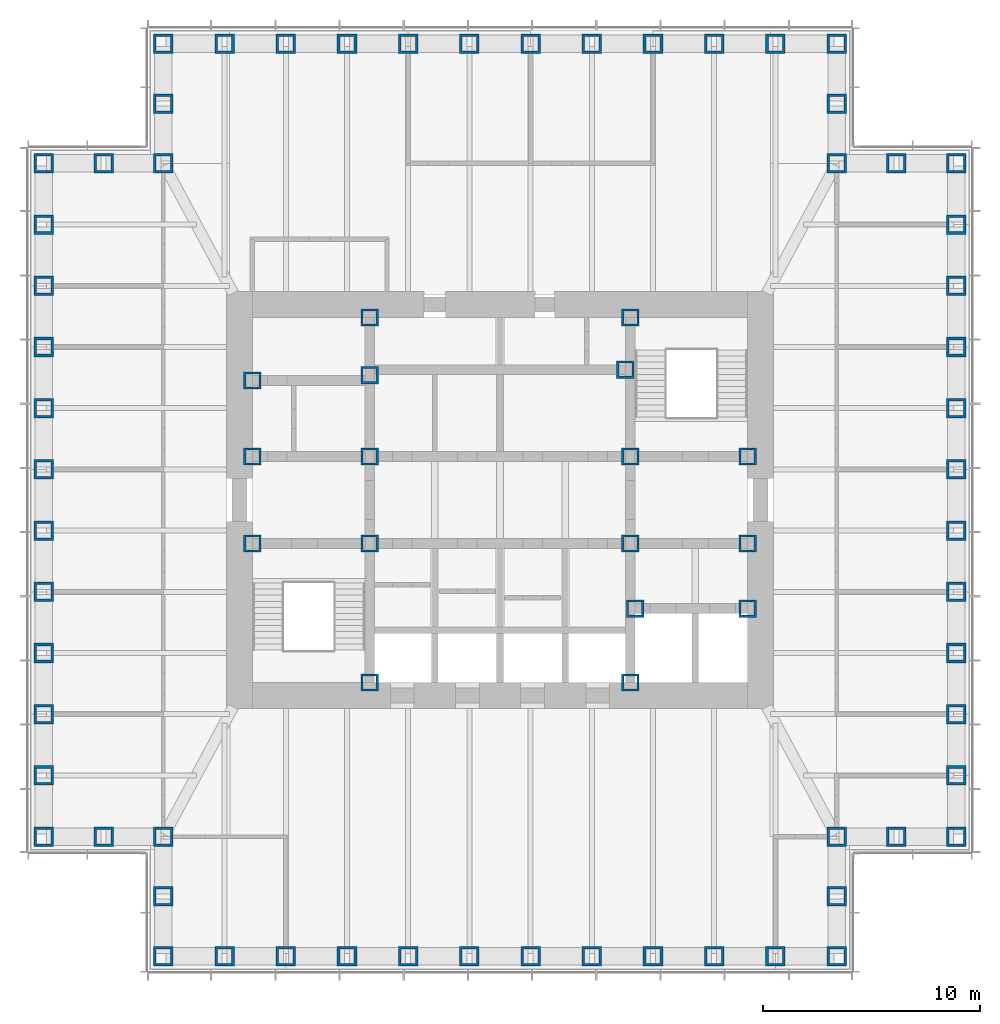
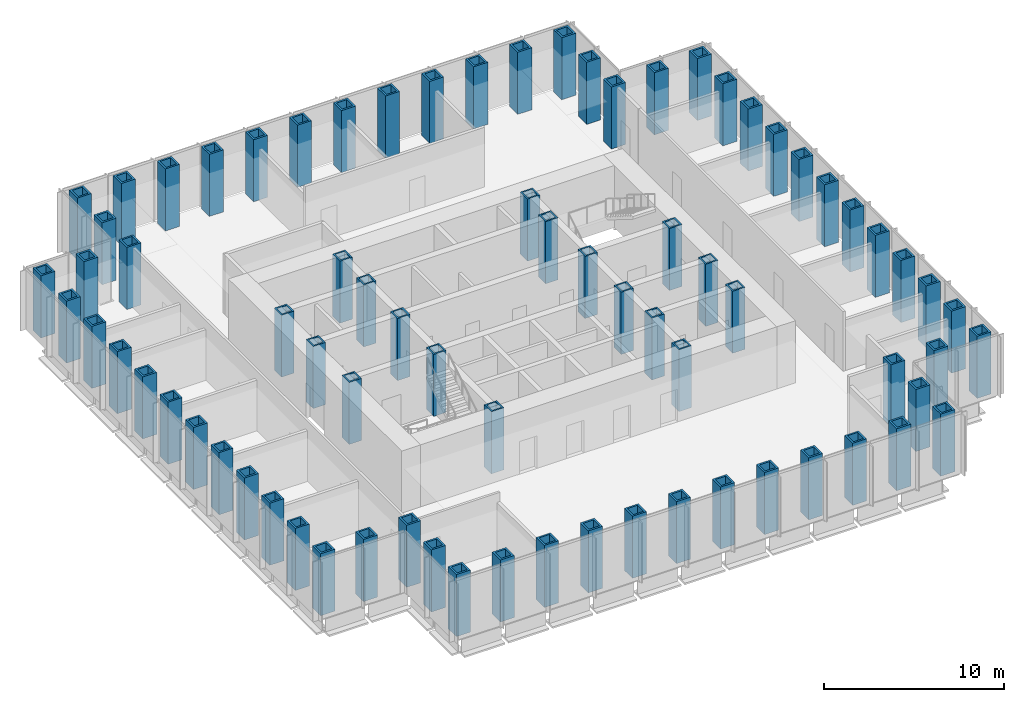
# One storey, part 1 of 16: 77 columns.
"""IFC4 building model written with IfcOpenShell, lengths in metres."""

from ifc_helpers import new_model, si_unit, direction, frame, origin, origin_2d, place, context, subcontext, project, spatial, hollow_rectangle, extrude, material, material_profile, profile_set, type_object, element, save


model = new_model("IFC4")

# Units and contexts
model_context = context("Model", 3, precision=1e-05, world=origin(), true_north=direction((0.0, 1.0)))
body_context = subcontext(model_context, "Body", "Model", "MODEL_VIEW")
ifc_project = project(units=[si_unit("LENGTHUNIT", "METRE"), si_unit("AREAUNIT", "SQUARE_METRE"), si_unit("VOLUMEUNIT", "CUBIC_METRE"), si_unit("PLANEANGLEUNIT", "RADIAN"), si_unit("MASSUNIT", "GRAM", prefix="KILO")], contexts=[model_context])

# Site, building, storey
site_placement = place(None, origin())
site = spatial("IfcSite", under=ifc_project, at=site_placement, CompositionType="ELEMENT")
building_placement = place(site_placement, origin())
building = spatial("IfcBuilding", under=site, at=building_placement, Name="Daluyong Arena Tower", CompositionType="ELEMENT")
storey_placement = place(building_placement, frame((0.0, 0.0, 189.699951171875)))
storey = spatial("IfcBuildingStorey", under=building, at=storey_placement, Name="L42", CompositionType="ELEMENT", Elevation=189.699951171875)

# Columns
ifc_material_1 = material(Name="Steel ASTM A572 Grade 50", Category="steel")
ifc_material_profile_1 = material_profile(ifc_material_1, hollow_rectangle(XDim=0.800048828125, YDim=0.800048828125, WallThickness=0.1, at=origin_2d()))
ifc_profile_set_1 = profile_set([ifc_material_profile_1], Name="Steel ASTM A572 Grade 50")
column_type_1 = type_object("IfcColumnType", Name="Core boundary column BX800X100", PredefinedType="COLUMN", material=ifc_profile_set_1)
for number, where, z_axis, x_axis, name in (
    (1, (44.60009765625, 78.0, 0.0), (0.0, 0.0, 1.0), (1.0, 0.0, 0.0), "core boundary column BC2"),
    (2, (44.60009765625, 82.0, 0.0), (0.0, 0.0, 1.0), (1.0, 0.0, 0.0), "core boundary column BC2"),
    (3, (44.60009765625, 85.5, 0.0), (0.0, 0.0, 1.0), (1.0, 0.0, 0.0), "core boundary column BC2"),
    (4, (50.0, 71.60009765625, 0.0), (0.0, 0.0, 1.0), (1.0, 0.0, 0.0), "core boundary column BC2"),
    (5, (50.0, 78.0, 0.0), (0.0, 0.0, 1.0), (1.0, 0.0, 0.0), "core boundary column BC2"),
    (6, (50.0, 82.0, 0.0), (0.0, 0.0, 1.0), (1.0, 0.0, 0.0), "core boundary column BC2"),
    (7, (50.0, 85.75, 0.0), (0.0, 0.0, 1.0), (1.0, 0.0, 0.0), "core boundary column BC2"),
    (8, (50.0, 88.39990234375, 0.0), (0.0, 0.0, 1.0), (1.0, 0.0, 0.0), "core boundary column BC2"),
    (9, (61.77490234375, 86.0, 0.0), (0.0, 0.0, 1.0), (1.0, 0.0, 0.0), "core boundary column BC2"),
    (10, (62.0, 71.60009765625, 0.0), (0.0, 0.0, 1.0), (1.0, 0.0, 0.0), "core boundary column BC2"),
    (11, (62.0, 78.0, 0.0), (0.0, 0.0, 1.0), (1.0, 0.0, 0.0), "core boundary column BC2"),
    (12, (62.0, 82.0, 0.0), (0.0, 0.0, 1.0), (1.0, 0.0, 0.0), "core boundary column BC2"),
    (13, (62.0, 88.39990234375, 0.0), (0.0, 0.0, 1.0), (1.0, 0.0, 0.0), "core boundary column BC2"),
    (14, (62.22509765625, 75.0, 0.0), (0.0, 0.0, 1.0), (1.0, 0.0, 0.0), "core boundary column BC2"),
    (15, (67.39990234375, 75.0, 0.0), (0.0, 0.0, 1.0), (1.0, 0.0, 0.0), "core boundary column BC2"),
    (16, (67.39990234375, 78.0, 0.0), (0.0, 0.0, 1.0), (1.0, 0.0, 0.0), "core boundary column BC2"),
    (17, (67.39990234375, 82.0, 0.0), (0.0, 0.0, 1.0), (1.0, 0.0, 0.0), "core boundary column BC2"),
):
    element("IfcColumn", number, at=place(storey_placement, frame(where, z_axis=z_axis, x_axis=x_axis)), inside=storey, type_object=column_type_1, Name=name, PredefinedType="COLUMN", context=body_context, shape_type="SweptSolid", body=[
        extrude(hollow_rectangle(XDim=0.800048828125, YDim=0.800048828125, WallThickness=0.1, at=origin_2d()), origin(), (0.0, 0.0, 1.0), 4.199951171875),
    ])
ifc_material_2 = material(Name="Steel ASTM A588 Grade 50", Category="steel")
ifc_material_profile_2 = material_profile(ifc_material_2, hollow_rectangle(XDim=0.89990234375, YDim=0.89990234375, WallThickness=0.12, at=origin_2d()))
ifc_profile_set_2 = profile_set([ifc_material_profile_2], Name="Steel ASTM A588 Grade 50")
column_type_2 = type_object("IfcColumnType", Name="Tube column BX900X120 BX900X120", PredefinedType="COLUMN", material=ifc_profile_set_2)
for number, where, z_axis, x_axis, name in (
    (18, (40.5, 59.0, 0.0), (0.0, 0.0, 1.0), (1.0, 0.0, 0.0), "tube column bx900x120 TC4"),
    (19, (43.318115234375, 59.0, 0.0), (0.0, 0.0, 1.0), (1.0, 0.0, 0.0), "tube column bx900x120 TC4"),
    (20, (46.136474609375, 59.0, 0.0), (0.0, 0.0, 1.0), (1.0, 0.0, 0.0), "tube column bx900x120 TC4"),
    (21, (48.95458984375, 59.0, 0.0), (0.0, 0.0, 1.0), (1.0, 0.0, 0.0), "tube column bx900x120 TC4"),
    (22, (51.772705078125, 59.0, 0.0), (0.0, 0.0, 1.0), (1.0, 0.0, 0.0), "tube column bx900x120 TC4"),
    (23, (54.5908203125, 59.0, 0.0), (0.0, 0.0, 1.0), (1.0, 0.0, 0.0), "tube column bx900x120 TC4"),
    (24, (57.4091796875, 59.0, 0.0), (0.0, 0.0, 1.0), (1.0, 0.0, 0.0), "tube column bx900x120 TC4"),
    (25, (60.227294921875, 59.0, 0.0), (0.0, 0.0, 1.0), (1.0, 0.0, 0.0), "tube column bx900x120 TC4"),
    (26, (63.04541015625, 59.0, 0.0), (0.0, 0.0, 1.0), (1.0, 0.0, 0.0), "tube column bx900x120 TC4"),
    (27, (65.863525390625, 59.0, 0.0), (0.0, 0.0, 1.0), (1.0, 0.0, 0.0), "tube column bx900x120 TC4"),
    (28, (68.681884765625, 59.0, 0.0), (0.0, 0.0, 1.0), (1.0, 0.0, 0.0), "tube column bx900x120 TC4"),
    (29, (71.5, 59.0, 0.0), (0.0, 0.0, 1.0), (0.0, 1.0, 0.0), "tube column bx900x120 TC4"),
    (30, (71.5, 61.75, 0.0), (0.0, 0.0, 1.0), (0.0, 1.0, 0.0), "tube column bx900x120 TC4"),
    (31, (71.5, 64.5, 0.0), (0.0, 0.0, 1.0), (1.0, 0.0, 0.0), "tube column bx900x120 TC4"),
    (32, (74.25, 64.5, 0.0), (0.0, 0.0, 1.0), (1.0, 0.0, 0.0), "tube column bx900x120 TC4"),
    (33, (77.0, 64.5, 0.0), (0.0, 0.0, 1.0), (0.0, 1.0, 0.0), "tube column bx900x120 TC4"),
    (34, (77.0, 67.318115234375, 0.0), (0.0, 0.0, 1.0), (0.0, 1.0, 0.0), "tube column bx900x120 TC4"),
    (35, (77.0, 70.136474609375, 0.0), (0.0, 0.0, 1.0), (0.0, 1.0, 0.0), "tube column bx900x120 TC4"),
    (36, (77.0, 72.95458984375, 0.0), (0.0, 0.0, 1.0), (0.0, 1.0, 0.0), "tube column bx900x120 TC4"),
    (37, (77.0, 75.772705078125, 0.0), (0.0, 0.0, 1.0), (0.0, 1.0, 0.0), "tube column bx900x120 TC4"),
    (38, (77.0, 78.5908203125, 0.0), (0.0, 0.0, 1.0), (0.0, 1.0, 0.0), "tube column bx900x120 TC4"),
    (39, (77.0, 81.4091796875, 0.0), (0.0, 0.0, 1.0), (0.0, 1.0, 0.0), "tube column bx900x120 TC4"),
    (40, (77.0, 84.227294921875, 0.0), (0.0, 0.0, 1.0), (0.0, 1.0, 0.0), "tube column bx900x120 TC4"),
    (41, (77.0, 87.04541015625, 0.0), (0.0, 0.0, 1.0), (0.0, 1.0, 0.0), "tube column bx900x120 TC4"),
    (42, (77.0, 89.863525390625, 0.0), (0.0, 0.0, 1.0), (0.0, 1.0, 0.0), "tube column bx900x120 TC4"),
    (43, (77.0, 92.681884765625, 0.0), (0.0, 0.0, 1.0), (0.0, 1.0, 0.0), "tube column bx900x120 TC4"),
    (44, (77.0, 95.5, 0.0), (0.0, 0.0, 1.0), (1.0, 0.0, 0.0), "tube column bx900x120 TC4"),
    (45, (74.25, 95.5, 0.0), (0.0, 0.0, 1.0), (1.0, 0.0, 0.0), "tube column bx900x120 TC4"),
    (46, (71.5, 95.5, 0.0), (0.0, 0.0, 1.0), (0.0, 1.0, 0.0), "tube column bx900x120 TC4"),
    (47, (71.5, 98.25, 0.0), (0.0, 0.0, 1.0), (0.0, 1.0, 0.0), "tube column bx900x120 TC4"),
    (48, (71.5, 101.0, 0.0), (0.0, 0.0, 1.0), (1.0, 0.0, 0.0), "tube column bx900x120 TC4"),
    (49, (68.681884765625, 101.0, 0.0), (0.0, 0.0, 1.0), (1.0, 0.0, 0.0), "tube column bx900x120 TC4"),
    (50, (65.863525390625, 101.0, 0.0), (0.0, 0.0, 1.0), (1.0, 0.0, 0.0), "tube column bx900x120 TC4"),
    (51, (63.04541015625, 101.0, 0.0), (0.0, 0.0, 1.0), (1.0, 0.0, 0.0), "tube column bx900x120 TC4"),
    (52, (60.227294921875, 101.0, 0.0), (0.0, 0.0, 1.0), (1.0, 0.0, 0.0), "tube column bx900x120 TC4"),
    (53, (57.4091796875, 101.0, 0.0), (0.0, 0.0, 1.0), (1.0, 0.0, 0.0), "tube column bx900x120 TC4"),
    (54, (54.5908203125, 101.0, 0.0), (0.0, 0.0, 1.0), (1.0, 0.0, 0.0), "tube column bx900x120 TC4"),
    (55, (51.772705078125, 101.0, 0.0), (0.0, 0.0, 1.0), (1.0, 0.0, 0.0), "tube column bx900x120 TC4"),
    (56, (48.95458984375, 101.0, 0.0), (0.0, 0.0, 1.0), (1.0, 0.0, 0.0), "tube column bx900x120 TC4"),
    (57, (46.136474609375, 101.0, 0.0), (0.0, 0.0, 1.0), (1.0, 0.0, 0.0), "tube column bx900x120 TC4"),
    (58, (43.318115234375, 101.0, 0.0), (0.0, 0.0, 1.0), (1.0, 0.0, 0.0), "tube column bx900x120 TC4"),
    (59, (40.5, 101.0, 0.0), (0.0, 0.0, 1.0), (0.0, 1.0, 0.0), "tube column bx900x120 TC4"),
    (60, (40.5, 98.25, 0.0), (0.0, 0.0, 1.0), (0.0, 1.0, 0.0), "tube column bx900x120 TC4"),
    (61, (40.5, 95.5, 0.0), (0.0, 0.0, 1.0), (1.0, 0.0, 0.0), "tube column bx900x120 TC4"),
    (62, (37.75, 95.5, 0.0), (0.0, 0.0, 1.0), (1.0, 0.0, 0.0), "tube column bx900x120 TC4"),
    (63, (35.0, 95.5, 0.0), (0.0, 0.0, 1.0), (0.0, 1.0, 0.0), "tube column bx900x120 TC4"),
    (64, (35.0, 92.681884765625, 0.0), (0.0, 0.0, 1.0), (0.0, 1.0, 0.0), "tube column bx900x120 TC4"),
    (65, (35.0, 89.863525390625, 0.0), (0.0, 0.0, 1.0), (0.0, 1.0, 0.0), "tube column bx900x120 TC4"),
    (66, (35.0, 87.04541015625, 0.0), (0.0, 0.0, 1.0), (0.0, 1.0, 0.0), "tube column bx900x120 TC4"),
    (67, (35.0, 84.227294921875, 0.0), (0.0, 0.0, 1.0), (0.0, 1.0, 0.0), "tube column bx900x120 TC4"),
    (68, (35.0, 81.4091796875, 0.0), (0.0, 0.0, 1.0), (0.0, 1.0, 0.0), "tube column bx900x120 TC4"),
    (69, (35.0, 78.5908203125, 0.0), (0.0, 0.0, 1.0), (0.0, 1.0, 0.0), "tube column bx900x120 TC4"),
    (70, (35.0, 75.772705078125, 0.0), (0.0, 0.0, 1.0), (0.0, 1.0, 0.0), "tube column bx900x120 TC4"),
    (71, (35.0, 72.95458984375, 0.0), (0.0, 0.0, 1.0), (0.0, 1.0, 0.0), "tube column bx900x120 TC4"),
    (72, (35.0, 70.136474609375, 0.0), (0.0, 0.0, 1.0), (0.0, 1.0, 0.0), "tube column bx900x120 TC4"),
    (73, (35.0, 67.318115234375, 0.0), (0.0, 0.0, 1.0), (0.0, 1.0, 0.0), "tube column bx900x120 TC4"),
    (74, (35.0, 64.5, 0.0), (0.0, 0.0, 1.0), (1.0, 0.0, 0.0), "tube column bx900x120 TC4"),
    (75, (37.75, 64.5, 0.0), (0.0, 0.0, 1.0), (1.0, 0.0, 0.0), "tube column bx900x120 TC4"),
    (76, (40.5, 64.5, 0.0), (0.0, 0.0, 1.0), (0.0, 1.0, 0.0), "tube column bx900x120 TC4"),
    (77, (40.5, 61.75, 0.0), (0.0, 0.0, 1.0), (0.0, 1.0, 0.0), "tube column bx900x120 TC4"),
):
    element("IfcColumn", number, at=place(storey_placement, frame(where, z_axis=z_axis, x_axis=x_axis)), inside=storey, type_object=column_type_2, Name=name, PredefinedType="COLUMN", context=body_context, shape_type="SweptSolid", body=[
        extrude(hollow_rectangle(XDim=0.89990234375, YDim=0.89990234375, WallThickness=0.12, at=origin_2d()), origin(), (0.0, 0.0, 1.0), 4.199951171875),
    ])

save(model, "model.ifc")
